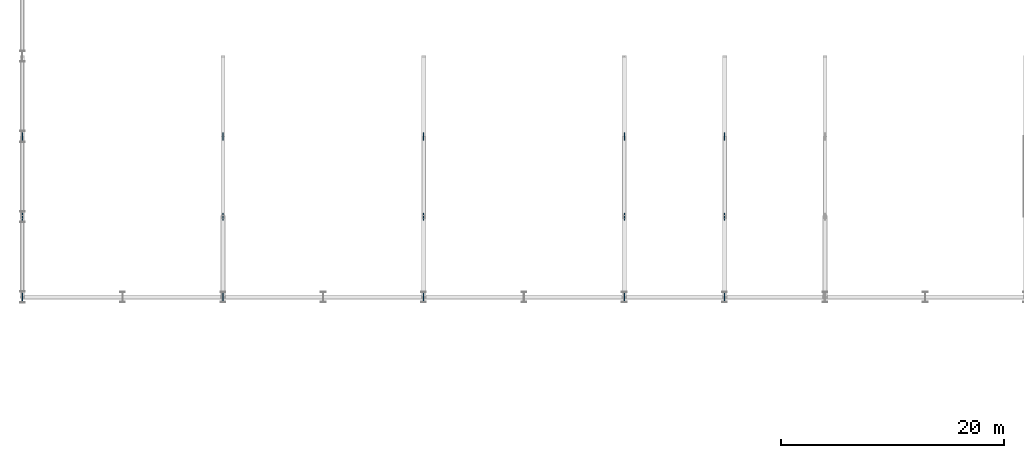
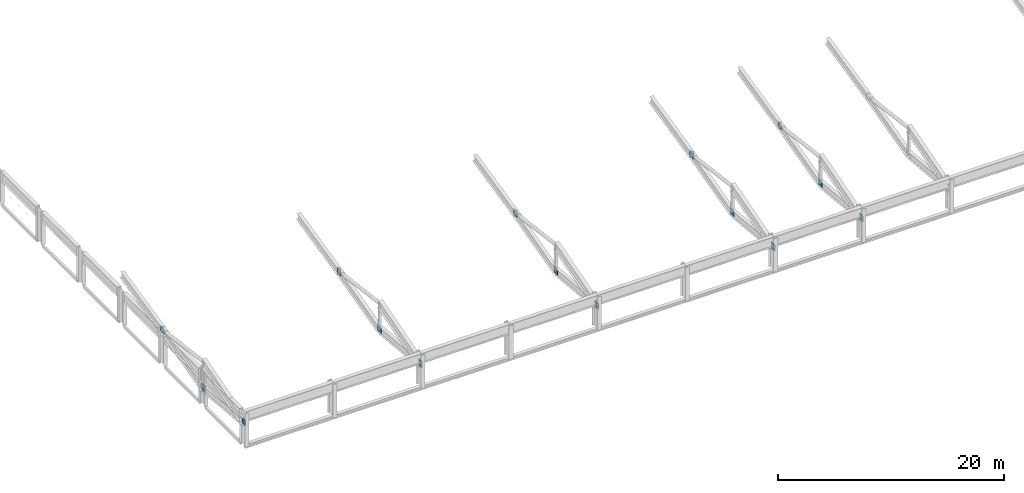
# One storey, part 94 of 151: 15 plates.
"""IFC4 building model written with IfcOpenShell, lengths in metres."""

from ifc_helpers import new_model, si_unit, direction, frame, origin, origin_2d, place, context, subcontext, project, spatial, rectangle, extrude, material, layer, layer_set, type_object, element, save


model = new_model("IFC4")

# Units and contexts
model_context = context("Model", 3, precision=1e-05, world=origin(), true_north=direction((0.0, 1.0)))
body_context = subcontext(model_context, "Body", "Model", "MODEL_VIEW")
ifc_project = project(units=[si_unit("LENGTHUNIT", "METRE"), si_unit("AREAUNIT", "SQUARE_METRE"), si_unit("VOLUMEUNIT", "CUBIC_METRE"), si_unit("PLANEANGLEUNIT", "RADIAN"), si_unit("MASSUNIT", "GRAM", prefix="KILO")], contexts=[model_context])

# Site, building, storey
site_placement = place(None, origin())
site = spatial("IfcSite", under=ifc_project, at=site_placement, CompositionType="ELEMENT")
building_placement = place(site_placement, origin())
building = spatial("IfcBuilding", under=site, at=building_placement, Name="Celestram Park Convention Centre", CompositionType="ELEMENT")
storey_placement = place(building_placement, frame((0.0, 0.0, 10.800048828125)))
storey = spatial("IfcBuildingStorey", under=building, at=storey_placement, Name="L02", CompositionType="ELEMENT", Elevation=10.800048828125)

# Plates
ifc_material = material(Name="Steel ASTM A572 Grade 50", Category="steel")
ifc_layer = layer(ifc_material, 0.050048828125)
ifc_layer_set = layer_set([ifc_layer], Name="Steel ASTM A572 Grade 50")
plate_type = type_object("IfcPlateType", Name="STR-PLT-GP50", PredefinedType="USERDEFINED", material=ifc_layer_set)
for number, where, z_axis, x_axis, name in (
    (1, (0.0, 21.60009765625, 2.103515625), (0.0, 0.0, 1.0), (0.0, 1.0, 0.0), "V1 truss node gusset plate"),
    (2, (0.0, 28.800048828125, 1.411865234375), (0.0, 0.0, 1.0), (0.0, 1.0, 0.0), "V1 truss node gusset plate"),
    (3, (0.0, 36.0, 3.290283203125), (0.0, 0.0, 1.0), (0.0, 1.0, 0.0), "V1 truss node gusset plate"),
    (4, (18.0, 21.60009765625, 2.103515625), (0.0, 0.0, 1.0), (0.0, 1.0, 0.0), "V1 truss node gusset plate"),
    (5, (18.0, 28.800048828125, 1.411865234375), (0.0, 0.0, 1.0), (0.0, 1.0, 0.0), "V1 truss node gusset plate"),
    (6, (18.0, 36.0, 3.290283203125), (0.0, 0.0, 1.0), (0.0, 1.0, 0.0), "V1 truss node gusset plate"),
    (7, (36.0, 21.60009765625, 2.103515625), (0.0, 0.0, 1.0), (0.0, 1.0, 0.0), "V1 truss node gusset plate"),
    (8, (36.0, 28.800048828125, 1.411865234375), (0.0, 0.0, 1.0), (0.0, 1.0, 0.0), "V1 truss node gusset plate"),
    (9, (36.0, 36.0, 3.290283203125), (0.0, 0.0, 1.0), (0.0, 1.0, 0.0), "V1 truss node gusset plate"),
    (10, (54.0, 21.60009765625, 2.103515625), (0.0, 0.0, 1.0), (0.0, 1.0, 0.0), "V1 truss node gusset plate"),
    (11, (54.0, 28.800048828125, 1.411865234375), (0.0, 0.0, 1.0), (0.0, 1.0, 0.0), "V1 truss node gusset plate"),
    (12, (54.0, 36.0, 3.290283203125), (0.0, 0.0, 1.0), (0.0, 1.0, 0.0), "V1 truss node gusset plate"),
    (13, (63.0, 21.60009765625, 2.103515625), (0.0, 0.0, 1.0), (0.0, 1.0, 0.0), "V1 truss node gusset plate"),
    (14, (63.0, 28.800048828125, 1.411865234375), (0.0, 0.0, 1.0), (0.0, 1.0, 0.0), "V1 truss node gusset plate"),
    (15, (63.0, 36.0, 3.290283203125), (0.0, 0.0, 1.0), (0.0, 1.0, 0.0), "V1 truss node gusset plate"),
):
    element("IfcPlate", number, at=place(storey_placement, frame(where, z_axis=z_axis, x_axis=x_axis)), inside=storey, type_object=plate_type, Name=name, ObjectType="GUSSET_PLATE", PredefinedType="USERDEFINED", context=body_context, shape_type="SweptSolid", body=[
        extrude(rectangle(XDim=0.64990234375, YDim=0.050048828125, at=origin_2d()), origin(), (0.0, 0.0, 1.0), 0.64990234375),
    ])

save(model, "model.ifc")
